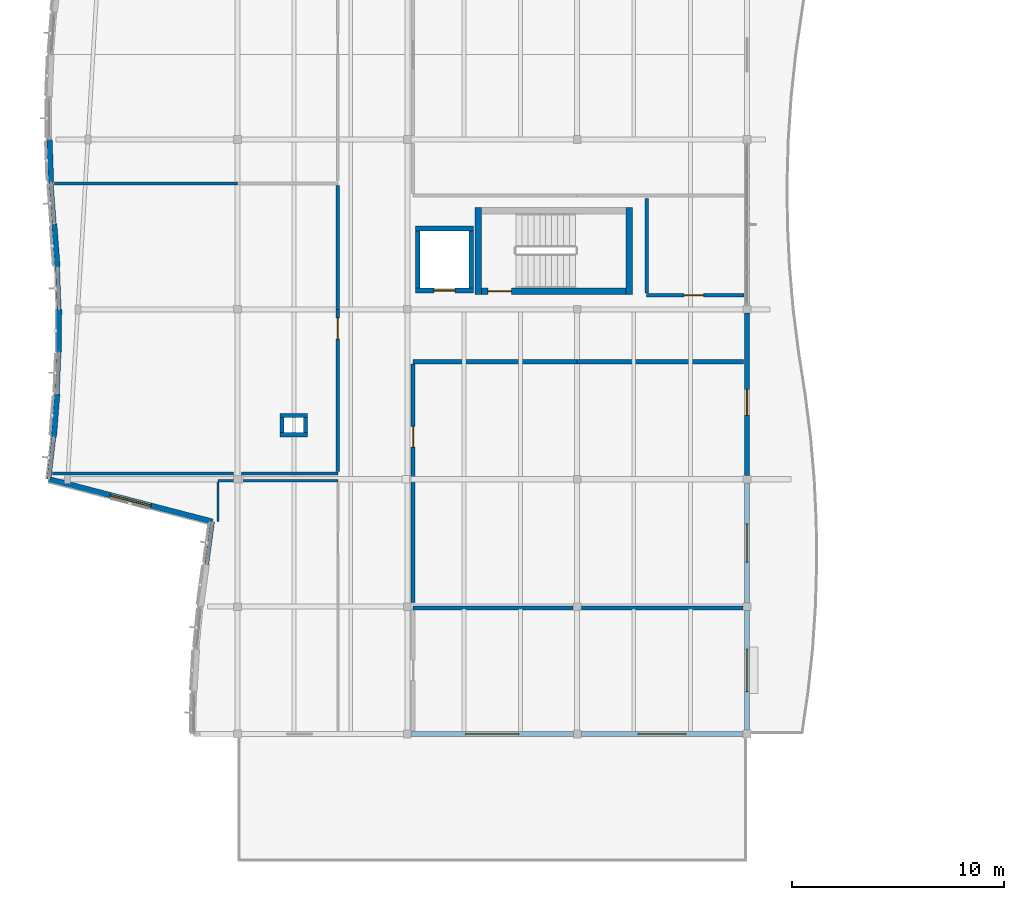
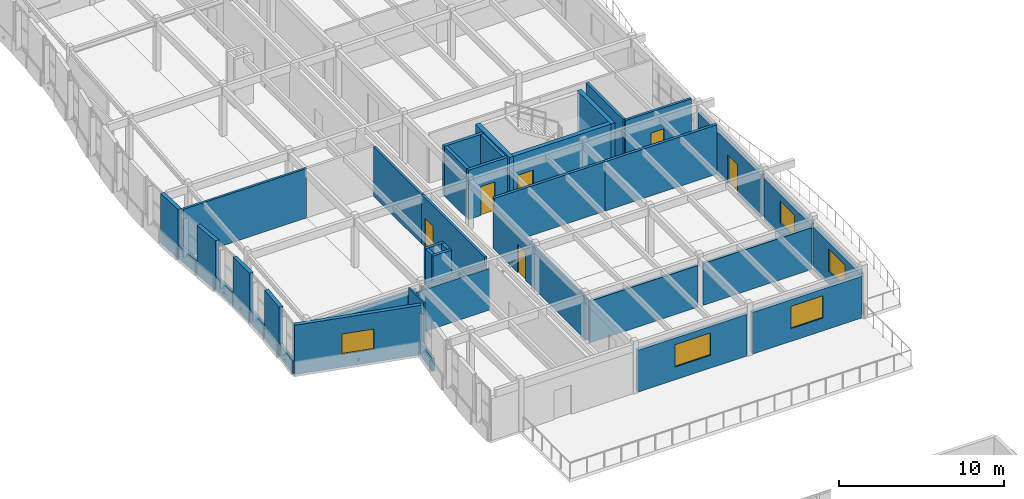
# One storey, part 38 of 63: 40 walls, 6 doors, 5 windows, 11 openings.
"""IFC4 building model written with IfcOpenShell, lengths in metres."""

from ifc_helpers import new_model, si_unit, direction, frame, frame_2d, origin, place, context, subcontext, project, spatial, rectangle, extrude, material, layer, layer_set, type_object, element, fill, save


model = new_model("IFC4")

# Units and contexts
model_context = context("Model", 3, precision=1e-05, world=origin(), true_north=direction((0.0, 1.0)))
body_context = subcontext(model_context, "Body", "Model", "MODEL_VIEW")
ifc_project = project(units=[si_unit("LENGTHUNIT", "METRE"), si_unit("AREAUNIT", "SQUARE_METRE"), si_unit("VOLUMEUNIT", "CUBIC_METRE"), si_unit("PLANEANGLEUNIT", "RADIAN"), si_unit("MASSUNIT", "GRAM", prefix="KILO")], contexts=[model_context])

# Site, building, storey
site_placement = place(None, origin())
site = spatial("IfcSite", under=ifc_project, at=site_placement, CompositionType="ELEMENT")
building_placement = place(site_placement, origin())
building = spatial("IfcBuilding", under=site, at=building_placement, Name="Tonlespit Floodbar School", CompositionType="ELEMENT")
storey_placement = place(building_placement, frame((0.0, 0.0, 8.39990234375)))
storey = spatial("IfcBuildingStorey", under=building, at=storey_placement, Name="L02", CompositionType="ELEMENT", Elevation=8.39990234375)

# Walls
ifc_material_1 = material(Name="Concrete C40/50", Category="concrete")
ifc_layer_1 = layer(ifc_material_1, 0.300048828125)
ifc_layer_set_1 = layer_set([ifc_layer_1], Name="Concrete C40/50")
wall_type_1 = type_object("IfcWallType", Name="CoreWall_RC_300", PredefinedType="SHEAR", material=ifc_layer_set_1)
for number, where, z_axis, x_axis, name in (
    (1, (23.35009765625, 64.699951171875, 0.0), (0.0, 0.0, 1.0), (0.0, 1.0, 0.0), "L02 core C3 shear wall NEAR"),
    (2, (30.449951171875, 68.800048828125, 0.0), (0.0, 0.0, 1.0), (0.0, -1.0, 0.0), "L02 core C3 shear wall FAR"),
):
    element("IfcWall", number, at=place(storey_placement, frame(where, z_axis=z_axis, x_axis=x_axis)), inside=storey, type_object=wall_type_1, Name=name, PredefinedType="SHEAR", context=body_context, shape_type="SweptSolid", body=[
        extrude(rectangle(XDim=4.10009765625, YDim=0.300048828125, at=frame_2d((2.050048828125, 0.0))), origin(), (0.0, 0.0, 1.0), 3.650146484375),
    ])

# Wall, opening, door
wall_1_placement = place(storey_placement, frame((23.5, 64.85009765625, 0.0), z_axis=(0.0, 0.0, 1.0), x_axis=(1.0, 0.0, 0.0)))
wall_1 = element("IfcWall", 3, at=wall_1_placement, inside=storey, type_object=wall_type_1, Name="L02 core C3 shear wall LEFT", PredefinedType="SHEAR", context=body_context, shape_type="SweptSolid", body=[
    extrude(rectangle(XDim=6.800048828125, YDim=0.300048828125, at=frame_2d((3.39990234375, 0.0))), origin(), (0.0, 0.0, 1.0), 3.650146484375),
])
opening_1_placement = place(wall_1_placement, frame((0.300048828125, 0.0, 0.0)))
opening_1 = element("IfcOpeningElement", 4, at=opening_1_placement, cuts=wall_1, Name="Opening FD1-C3-L02", PredefinedType="OPENING", context=body_context, shape_type="SweptSolid", body=[
    extrude(rectangle(XDim=1.10009765625, YDim=2.14990234375, at=frame_2d((0.550048828125, 1.074951171875))), frame((0.0, 0.159912109375, 0.0), z_axis=(0.0, -1.0, 0.0), x_axis=(1.0, 0.0, 0.0)), (0.0, 0.0, 1.0), 0.320068359375),
])
ifc_material_2 = material(Name="Galvanised Steel", Category="steel")
door_type_1 = type_object("IfcDoorType", Name="FireDoor_Stair_1100x2150", OperationType="NOTDEFINED", PredefinedType="DOOR", material=ifc_material_2)
door_1_placement = place(opening_1_placement, origin())
door_1 = element("IfcDoor", 5, at=door_1_placement, inside=storey, type_object=door_type_1, Name="L02 stair ST-C3 fire door", OperationType="SINGLE_SWING_LEFT", OverallHeight=2.14990234375, OverallWidth=1.10009765625, PredefinedType="DOOR", context=body_context, shape_type="SweptSolid", body=[
    extrude(rectangle(XDim=1.10009765625, YDim=2.14990234375, at=frame_2d((0.550048828125, 1.074951171875))), frame((0.0, 0.02490234375, 0.0), z_axis=(0.0, -1.0, 0.0), x_axis=(1.0, 0.0, 0.0)), (0.0, 0.0, 1.0), 0.050048828125),
])
fill(opening_1, door_1)

ifc_material_3 = material(Name="Precast concrete C40/50", Category="concrete")
ifc_layer_2 = layer(ifc_material_3, 0.239990234375)
ifc_layer_set_2 = layer_set([ifc_layer_2], Name="Precast concrete C40/50")
wall_type_2 = type_object("IfcWallType", Name="ExtWall_Rainscreen_240", PredefinedType="SOLIDWALL", material=ifc_layer_set_2)
wall_2_placement = place(storey_placement, frame((36.0, 63.820068359375, 0.0), z_axis=(0.0, 0.0, 1.0), x_axis=(0.0, -1.0, 0.0)))
wall_2 = element("IfcWall", 6, at=wall_2_placement, inside=storey, type_object=wall_type_2, Name="L02 external wall 0414", PredefinedType="SOLIDWALL", context=body_context, shape_type="SweptSolid", body=[
    extrude(rectangle(XDim=7.64013671875, YDim=0.239990234375, at=frame_2d((3.820068359375, 0.0))), origin(), (0.0, 0.0, 1.0), 3.090087890625),
])
opening_2_placement = place(wall_2_placement, frame((3.60009765625, 0.0, 0.0)))
opening_2 = element("IfcOpeningElement", 7, at=opening_2_placement, cuts=wall_2, Name="Opening D-TR-017", PredefinedType="OPENING", context=body_context, shape_type="SweptSolid", body=[
    extrude(rectangle(XDim=1.199951171875, YDim=2.14990234375, at=frame_2d((0.60009765625, 1.074951171875))), frame((0.0, 0.1298828125, 0.0), z_axis=(0.0, -1.0, 0.0), x_axis=(1.0, 0.0, 0.0)), (0.0, 0.0, 1.0), 0.260009765625),
])
ifc_material_4 = material(Name="Anodised Aluminium", Category="aluminium")
door_type_2 = type_object("IfcDoorType", Name="ExtDoor_Terrace_1200x2150", OperationType="NOTDEFINED", PredefinedType="DOOR", material=ifc_material_4)
door_2_placement = place(opening_2_placement, origin())
door_2 = element("IfcDoor", 8, at=door_2_placement, inside=storey, type_object=door_type_2, Name="L02 exterior door D-TR-017", OperationType="SINGLE_SWING_LEFT", OverallHeight=2.14990234375, OverallWidth=1.199951171875, PredefinedType="DOOR", context=body_context, shape_type="SweptSolid", body=[
    extrude(rectangle(XDim=1.199951171875, YDim=2.14990234375, at=frame_2d((0.60009765625, 1.074951171875))), frame((0.0, 0.02490234375, 0.0), z_axis=(0.0, -1.0, 0.0), x_axis=(1.0, 0.0, 0.0)), (0.0, 0.0, 1.0), 0.050048828125),
])
fill(opening_2, door_2)

# Wall, opening, window
wall_3_placement = place(storey_placement, frame((36.0, 55.820068359375, 0.0), z_axis=(0.0, 0.0, 1.0), x_axis=(0.0, -1.0, 0.0)))
wall_3 = element("IfcWall", 9, at=wall_3_placement, inside=storey, type_object=wall_type_2, Name="L02 external wall 0415", PredefinedType="SOLIDWALL", context=body_context, shape_type="SweptSolid", body=[
    extrude(rectangle(XDim=5.64013671875, YDim=0.239990234375, at=frame_2d((2.820068359375, 0.0))), origin(), (0.0, 0.0, 1.0), 3.088134765625),
])
opening_3_placement = place(wall_3_placement, frame((1.919921875, 0.0, 0.949951171875)))
opening_3 = element("IfcOpeningElement", 10, at=opening_3_placement, cuts=wall_3, Name="Opening W-L02-044", PredefinedType="OPENING", context=body_context, shape_type="SweptSolid", body=[
    extrude(rectangle(XDim=1.800048828125, YDim=1.64990234375, at=frame_2d((0.89990234375, 0.824951171875))), frame((0.0, 0.1298828125, 0.0), z_axis=(0.0, -1.0, 0.0), x_axis=(1.0, 0.0, 0.0)), (0.0, 0.0, 1.0), 0.260009765625),
])
ifc_material_5 = material(Name="Tempered Double Glazing", Category="glass")
window_type_1 = type_object("IfcWindowType", Name="Win_Mod_1800x1650", PartitioningType="DOUBLE_PANEL_VERTICAL", PredefinedType="WINDOW", material=ifc_material_5)
window_1_placement = place(opening_3_placement, origin())
window_1 = element("IfcWindow", 11, at=window_1_placement, inside=storey, type_object=window_type_1, Name="L02 window W-L02-044", OverallHeight=1.64990234375, OverallWidth=1.800048828125, PartitioningType="DOUBLE_PANEL_VERTICAL", PredefinedType="WINDOW", context=body_context, shape_type="SweptSolid", body=[
    extrude(rectangle(XDim=1.800048828125, YDim=1.64990234375, at=frame_2d((0.89990234375, 0.824951171875))), frame((0.0, 0.030029296875, 0.0), z_axis=(0.0, -1.0, 0.0), x_axis=(1.0, 0.0, 0.0)), (0.0, 0.0, 1.0), 0.06005859375),
])
fill(opening_3, window_1)

wall_4_placement = place(storey_placement, frame((36.0, 49.820068359375, 0.0), z_axis=(0.0, 0.0, 1.0), x_axis=(0.0, -1.0, 0.0)))
wall_4 = element("IfcWall", 12, at=wall_4_placement, inside=storey, type_object=wall_type_2, Name="L02 external wall 0416", PredefinedType="SOLIDWALL", context=body_context, shape_type="SweptSolid", body=[
    extrude(rectangle(XDim=5.64013671875, YDim=0.239990234375, at=frame_2d((2.820068359375, 0.0))), origin(), (0.0, 0.0, 1.0), 3.088134765625),
])
opening_4_placement = place(wall_4_placement, frame((1.820068359375, 0.0, 0.949951171875)))
opening_4 = element("IfcOpeningElement", 13, at=opening_4_placement, cuts=wall_4, Name="Opening W-L02-045", PredefinedType="OPENING", context=body_context, shape_type="SweptSolid", body=[
    extrude(rectangle(XDim=2.0, YDim=1.64990234375, at=frame_2d((1.0, 0.824951171875))), frame((0.0, 0.1298828125, 0.0), z_axis=(0.0, -1.0, 0.0), x_axis=(1.0, 0.0, 0.0)), (0.0, 0.0, 1.0), 0.260009765625),
])
window_type_2 = type_object("IfcWindowType", Name="Win_Mod_2000x1650", PartitioningType="DOUBLE_PANEL_VERTICAL", PredefinedType="WINDOW", material=ifc_material_5)
window_2_placement = place(opening_4_placement, origin())
window_2 = element("IfcWindow", 14, at=window_2_placement, inside=storey, type_object=window_type_2, Name="L02 window W-L02-045", OverallHeight=1.64990234375, OverallWidth=2.0, PartitioningType="DOUBLE_PANEL_VERTICAL", PredefinedType="WINDOW", context=body_context, shape_type="SweptSolid", body=[
    extrude(rectangle(XDim=2.0, YDim=1.64990234375, at=frame_2d((1.0, 0.824951171875))), frame((0.0, 0.030029296875, 0.0), z_axis=(0.0, -1.0, 0.0), x_axis=(1.0, 0.0, 0.0)), (0.0, 0.0, 1.0), 0.06005859375),
])
fill(opening_4, window_2)

wall_5_placement = place(storey_placement, frame((35.820068359375, 44.0, 0.0), z_axis=(0.0, 0.0, 1.0), x_axis=(-1.0, 0.0, 0.0)))
wall_5 = element("IfcWall", 15, at=wall_5_placement, inside=storey, type_object=wall_type_2, Name="L02 external wall 0417", PredefinedType="SOLIDWALL", context=body_context, shape_type="SweptSolid", body=[
    extrude(rectangle(XDim=7.64013671875, YDim=0.239990234375, at=frame_2d((3.820068359375, 0.0))), origin(), (0.0, 0.0, 1.0), 3.088134765625),
])
opening_5_placement = place(wall_5_placement, frame((2.695068359375, 0.0, 0.949951171875)))
opening_5 = element("IfcOpeningElement", 16, at=opening_5_placement, cuts=wall_5, Name="Opening W-L02-046", PredefinedType="OPENING", context=body_context, shape_type="SweptSolid", body=[
    extrude(rectangle(XDim=2.25, YDim=1.64990234375, at=frame_2d((1.125, 0.824951171875))), frame((0.0, 0.1298828125, 0.0), z_axis=(0.0, -1.0, 0.0), x_axis=(1.0, 0.0, 0.0)), (0.0, 0.0, 1.0), 0.260009765625),
])
window_type_3 = type_object("IfcWindowType", Name="Win_Mod_2250x1650", PartitioningType="DOUBLE_PANEL_VERTICAL", PredefinedType="WINDOW", material=ifc_material_5)
window_3_placement = place(opening_5_placement, origin())
window_3 = element("IfcWindow", 17, at=window_3_placement, inside=storey, type_object=window_type_3, Name="L02 window W-L02-046", OverallHeight=1.64990234375, OverallWidth=2.25, PartitioningType="DOUBLE_PANEL_VERTICAL", PredefinedType="WINDOW", context=body_context, shape_type="SweptSolid", body=[
    extrude(rectangle(XDim=2.25, YDim=1.64990234375, at=frame_2d((1.125, 0.824951171875))), frame((0.0, 0.030029296875, 0.0), z_axis=(0.0, -1.0, 0.0), x_axis=(1.0, 0.0, 0.0)), (0.0, 0.0, 1.0), 0.06005859375),
])
fill(opening_5, window_3)

wall_6_placement = place(storey_placement, frame((27.820068359375, 44.0, 0.0), z_axis=(0.0, 0.0, 1.0), x_axis=(-1.0, 0.0, 0.0)))
wall_6 = element("IfcWall", 18, at=wall_6_placement, inside=storey, type_object=wall_type_2, Name="L02 external wall 0418", PredefinedType="SOLIDWALL", context=body_context, shape_type="SweptSolid", body=[
    extrude(rectangle(XDim=7.64013671875, YDim=0.239990234375, at=frame_2d((3.820068359375, 0.0))), origin(), (0.0, 0.0, 1.0), 3.088134765625),
])
opening_6_placement = place(wall_6_placement, frame((2.570068359375, 0.0, 0.949951171875)))
opening_6 = element("IfcOpeningElement", 19, at=opening_6_placement, cuts=wall_6, Name="Opening W-L02-047", PredefinedType="OPENING", context=body_context, shape_type="SweptSolid", body=[
    extrude(rectangle(XDim=2.5, YDim=1.64990234375, at=frame_2d((1.25, 0.824951171875))), frame((0.0, 0.1298828125, 0.0), z_axis=(0.0, -1.0, 0.0), x_axis=(1.0, 0.0, 0.0)), (0.0, 0.0, 1.0), 0.260009765625),
])
window_type_4 = type_object("IfcWindowType", Name="Win_Mod_2500x1650", PartitioningType="DOUBLE_PANEL_VERTICAL", PredefinedType="WINDOW", material=ifc_material_5)
window_4_placement = place(opening_6_placement, origin())
window_4 = element("IfcWindow", 20, at=window_4_placement, inside=storey, type_object=window_type_4, Name="L02 window W-L02-047", OverallHeight=1.64990234375, OverallWidth=2.5, PartitioningType="DOUBLE_PANEL_VERTICAL", PredefinedType="WINDOW", context=body_context, shape_type="SweptSolid", body=[
    extrude(rectangle(XDim=2.5, YDim=1.64990234375, at=frame_2d((1.25, 0.824951171875))), frame((0.0, 0.030029296875, 0.0), z_axis=(0.0, -1.0, 0.0), x_axis=(1.0, 0.0, 0.0)), (0.0, 0.0, 1.0), 0.06005859375),
])
fill(opening_6, window_4)

ifc_layer_3 = layer(ifc_material_3, 0.260009765625)
ifc_layer_set_3 = layer_set([ifc_layer_3], Name="Precast concrete C40/50")
wall_type_3 = type_object("IfcWallType", Name="ExtWall_Rainscreen_260", PredefinedType="SOLIDWALL", material=ifc_layer_set_3)
wall_7_placement = place(storey_placement, frame((10.82177734375, 54.0, 0.0), z_axis=(0.0, 0.0, 1.0), x_axis=(-0.967937555254, 0.251190941573, 0.0)))
wall_7 = element("IfcWall", 21, at=wall_7_placement, inside=storey, type_object=wall_type_3, Name="L02 external wall 0385", PredefinedType="SOLIDWALL", context=body_context, shape_type="SweptSolid", body=[
    extrude(rectangle(XDim=7.962158203125, YDim=0.260009765625, at=frame_2d((3.98095703125, 0.0))), origin(), (0.0, 0.0, 1.0), 3.650146484375),
])
opening_7_placement = place(wall_7_placement, frame((2.98095703125, 0.0, 0.949951171875)))
opening_7 = element("IfcOpeningElement", 22, at=opening_7_placement, cuts=wall_7, Name="Opening W-L02-038", PredefinedType="OPENING", context=body_context, shape_type="SweptSolid", body=[
    extrude(rectangle(XDim=2.0, YDim=1.5, at=frame_2d((1.0, 0.75))), frame((0.0, 0.139892578125, 0.0), z_axis=(0.0, -1.0, 0.0), x_axis=(1.0, 0.0, 0.0)), (0.0, 0.0, 1.0), 0.280029296875),
])
window_type_5 = type_object("IfcWindowType", Name="Win_Mod_2000x1500", PartitioningType="DOUBLE_PANEL_VERTICAL", PredefinedType="WINDOW", material=ifc_material_5)
window_5_placement = place(opening_7_placement, origin())
window_5 = element("IfcWindow", 23, at=window_5_placement, inside=storey, type_object=window_type_5, Name="L02 window W-L02-038", OverallHeight=1.5, OverallWidth=2.0, PartitioningType="DOUBLE_PANEL_VERTICAL", PredefinedType="WINDOW", context=body_context, shape_type="SweptSolid", body=[
    extrude(rectangle(XDim=2.0, YDim=1.5, at=frame_2d((1.0, 0.75))), frame((0.0, 0.030029296875, 0.0), z_axis=(0.0, -1.0, 0.0), x_axis=(1.0, 0.0, 0.0)), (0.0, 0.0, 1.0), 0.06005859375),
])
fill(opening_7, window_5)

# Walls
wall_8_placement = place(storey_placement, frame((3.3505859375, 58.0, 0.0), z_axis=(0.0, 0.0, 1.0), x_axis=(0.078976178075, 0.996876503533, 0.0)))
element("IfcWall", 24, at=wall_8_placement, inside=storey, type_object=wall_type_3, Name="L02 external wall 0387", PredefinedType="SOLIDWALL", context=body_context, shape_type="SweptSolid", body=[
    extrude(rectangle(XDim=2.00634765625, YDim=0.260009765625, at=frame_2d((1.003173828125, 0.0))), origin(), (0.0, 0.0, 1.0), 3.650146484375),
])
wall_9_placement = place(storey_placement, frame((3.590576171875, 62.0, 0.0), z_axis=(0.0, 0.0, 1.0), x_axis=(0.002197260321, 0.999997586021, 0.0)))
element("IfcWall", 25, at=wall_9_placement, inside=storey, type_object=wall_type_3, Name="L02 external wall 0389", PredefinedType="SOLIDWALL", context=body_context, shape_type="SweptSolid", body=[
    extrude(rectangle(XDim=2.0, YDim=0.260009765625, at=frame_2d((1.0, 0.0))), origin(), (0.0, 0.0, 1.0), 3.650146484375),
])
wall_10_placement = place(storey_placement, frame((3.521728515625, 66.0, 0.0), z_axis=(0.0, 0.0, 1.0), x_axis=(-0.075588789742, 0.997139074987, 0.0)))
element("IfcWall", 26, at=wall_10_placement, inside=storey, type_object=wall_type_3, Name="L02 external wall 0391", PredefinedType="SOLIDWALL", context=body_context, shape_type="SweptSolid", body=[
    extrude(rectangle(XDim=2.005859375, YDim=0.260009765625, at=frame_2d((1.0029296875, 0.0))), origin(), (0.0, 0.0, 1.0), 3.650146484375),
])
wall_11_placement = place(storey_placement, frame((3.21826171875, 70.0, 0.0), z_axis=(0.0, 0.0, 1.0), x_axis=(-0.036596562065, 0.999330121454, 0.0)))
element("IfcWall", 27, at=wall_11_placement, inside=storey, type_object=wall_type_3, Name="L02 external wall 0393", PredefinedType="SOLIDWALL", context=body_context, shape_type="SweptSolid", body=[
    extrude(rectangle(XDim=2.001220703125, YDim=0.260009765625, at=frame_2d((1.00048828125, 0.0))), origin(), (0.0, 0.0, 1.0), 3.650146484375),
])
ifc_material_6 = material(Name="White Architectural Precast concrete C40/50", Category="concrete")
ifc_layer_4 = layer(ifc_material_6, 0.199951171875)
ifc_layer_set_4 = layer_set([ifc_layer_4], Name="White Architectural Precast concrete C40/50")
wall_type_4 = type_object("IfcWallType", Name="ExtWall_Spandrel_White_200", PredefinedType="SOLIDWALL", material=ifc_layer_set_4)
wall_12_placement = place(storey_placement, frame((10.550048828125, 52.0, 0.0), z_axis=(0.0, 0.0, 1.0), x_axis=(0.134627389588, 0.990896294257, 0.0)))
element("IfcWall", 28, at=wall_12_placement, inside=storey, type_object=wall_type_4, Name="L02 spandrel wall 0384", PredefinedType="SOLIDWALL", context=body_context, shape_type="SweptSolid", body=[
    extrude(rectangle(XDim=2.018310546875, YDim=0.199951171875, at=frame_2d((1.00927734375, 0.0))), origin(), (0.0, 0.0, 1.0), 0.9501953125),
])
wall_13_placement = place(storey_placement, frame((3.114990234375, 56.0, 0.0), z_axis=(0.0, 0.0, 1.0), x_axis=(0.116988959085, 0.99313321536, 0.0)))
element("IfcWall", 29, at=wall_13_placement, inside=storey, type_object=wall_type_4, Name="L02 spandrel wall 0386", PredefinedType="SOLIDWALL", context=body_context, shape_type="SweptSolid", body=[
    extrude(rectangle(XDim=2.013916015625, YDim=0.199951171875, at=frame_2d((1.0068359375, 0.0))), origin(), (0.0, 0.0, 1.0), 0.9501953125),
])
wall_14_placement = place(storey_placement, frame((3.509033203125, 60.0, 0.0), z_axis=(0.0, 0.0, 1.0), x_axis=(0.040737639062, 0.99916987783, 0.0)))
element("IfcWall", 30, at=wall_14_placement, inside=storey, type_object=wall_type_4, Name="L02 spandrel wall 0388", PredefinedType="SOLIDWALL", context=body_context, shape_type="SweptSolid", body=[
    extrude(rectangle(XDim=2.001708984375, YDim=0.199951171875, at=frame_2d((1.0009765625, 0.0))), origin(), (0.0, 0.0, 1.0), 0.9501953125),
])
wall_15_placement = place(storey_placement, frame((3.594970703125, 64.0, 0.0), z_axis=(0.0, 0.0, 1.0), x_axis=(-0.036596562065, 0.999330121454, 0.0)))
element("IfcWall", 31, at=wall_15_placement, inside=storey, type_object=wall_type_4, Name="L02 spandrel wall 0390", PredefinedType="SOLIDWALL", context=body_context, shape_type="SweptSolid", body=[
    extrude(rectangle(XDim=2.001220703125, YDim=0.199951171875, at=frame_2d((1.00048828125, 0.0))), origin(), (0.0, 0.0, 1.0), 0.9501953125),
])
wall_16_placement = place(storey_placement, frame((3.3701171875, 68.0, 0.0), z_axis=(0.0, 0.0, 1.0), x_axis=(-0.075709813676, 0.9971298933, 0.0)))
element("IfcWall", 32, at=wall_16_placement, inside=storey, type_object=wall_type_4, Name="L02 spandrel wall 0392", PredefinedType="SOLIDWALL", context=body_context, shape_type="SweptSolid", body=[
    extrude(rectangle(XDim=2.005859375, YDim=0.199951171875, at=frame_2d((1.0029296875, 0.0))), origin(), (0.0, 0.0, 1.0), 0.9501953125),
])
ifc_material_7 = material(Name="Gypsum Plasterboard Partition")
ifc_layer_5 = layer(ifc_material_7, 0.159912109375)
ifc_layer_set_5 = layer_set([ifc_layer_5], Name="Gypsum Plasterboard Partition")
wall_type_5 = type_object("IfcWallType", Name="FireWall_Lab_160", PredefinedType="PARTITIONING", material=ifc_layer_set_5)
wall_17_placement = place(storey_placement, frame((3.288818359375, 56.27001953125, 0.0), z_axis=(0.0, 0.0, 1.0), x_axis=(1.0, 0.0, 0.0)))
element("IfcWall", 33, at=wall_17_placement, inside=storey, type_object=wall_type_5, Name="L02 partition wall 0219", PredefinedType="PARTITIONING", context=body_context, shape_type="SweptSolid", body=[
    extrude(rectangle(XDim=8.51611328125, YDim=0.159912109375, at=frame_2d((4.258056640625, 0.0))), origin(), (0.0, 0.0, 1.0), 3.090087890625),
])
wall_18_placement = place(storey_placement, frame((12.195068359375, 56.27001953125, 0.0), z_axis=(0.0, 0.0, 1.0), x_axis=(1.0, 0.0, 0.0)))
element("IfcWall", 34, at=wall_18_placement, inside=storey, type_object=wall_type_5, Name="L02 partition wall 0220", PredefinedType="PARTITIONING", context=body_context, shape_type="SweptSolid", body=[
    extrude(rectangle(XDim=4.534912109375, YDim=0.159912109375, at=frame_2d((2.267578125, 0.0))), origin(), (0.0, 0.0, 1.0), 3.088134765625),
])
wall_19_placement = place(storey_placement, frame((3.392822265625, 69.929931640625, 0.0), z_axis=(0.0, 0.0, 1.0), x_axis=(1.0, 0.0, 0.0)))
element("IfcWall", 35, at=wall_19_placement, inside=storey, type_object=wall_type_5, Name="L02 partition wall 0221", PredefinedType="PARTITIONING", context=body_context, shape_type="SweptSolid", body=[
    extrude(rectangle(XDim=8.607177734375, YDim=0.159912109375, at=frame_2d((4.3037109375, 0.0))), origin(), (0.0, 0.0, 1.0), 3.650146484375),
])

# Wall, opening, door
wall_20_placement = place(storey_placement, frame((16.72998046875, 56.364990234375, 0.0), z_axis=(0.0, 0.0, 1.0), x_axis=(0.0, 1.0, 0.0)))
wall_20 = element("IfcWall", 36, at=wall_20_placement, inside=storey, type_object=wall_type_5, Name="L02 partition wall 0223", PredefinedType="PARTITIONING", context=body_context, shape_type="SweptSolid", body=[
    extrude(rectangle(XDim=7.635009765625, YDim=0.159912109375, at=frame_2d((3.8173828125, 0.0))), origin(), (0.0, 0.0, 1.0), 3.650146484375),
])
opening_8_placement = place(wall_20_placement, frame((6.235107421875, 0.0, 0.0)))
opening_8 = element("IfcOpeningElement", 37, at=opening_8_placement, cuts=wall_20, Name="Opening D-L02-065", PredefinedType="OPENING", context=body_context, shape_type="SweptSolid", body=[
    extrude(rectangle(XDim=1.0, YDim=2.14990234375, at=frame_2d((0.5, 1.074951171875))), frame((0.0, 0.08984375, 0.0), z_axis=(0.0, -1.0, 0.0), x_axis=(1.0, 0.0, 0.0)), (0.0, 0.0, 1.0), 0.179931640625),
])
ifc_material_8 = material(Name="Hardwood Timber", Category="wood")
door_type_3 = type_object("IfcDoorType", Name="FireDoor_Compartment_1000x2150", OperationType="NOTDEFINED", PredefinedType="DOOR", material=ifc_material_8)
door_3_placement = place(opening_8_placement, origin())
door_3 = element("IfcDoor", 38, at=door_3_placement, inside=storey, type_object=door_type_3, Name="L02 interior door D-L02-065", OperationType="SINGLE_SWING_RIGHT", OverallHeight=2.14990234375, OverallWidth=1.0, PredefinedType="DOOR", context=body_context, shape_type="SweptSolid", body=[
    extrude(rectangle(XDim=1.0, YDim=2.14990234375, at=frame_2d((0.5, 1.074951171875))), frame((0.0, 0.02490234375, 0.0), z_axis=(0.0, -1.0, 0.0), x_axis=(1.0, 0.0, 0.0)), (0.0, 0.0, 1.0), 0.050048828125),
])
fill(opening_8, door_3)

# Walls
wall_21_placement = place(storey_placement, frame((16.72998046875, 64.0, 0.0), z_axis=(0.0, 0.0, 1.0), x_axis=(0.0, 1.0, 0.0)))
element("IfcWall", 39, at=wall_21_placement, inside=storey, type_object=wall_type_5, Name="L02 partition wall 0224", PredefinedType="PARTITIONING", context=body_context, shape_type="SweptSolid", body=[
    extrude(rectangle(XDim=5.8349609375, YDim=0.159912109375, at=frame_2d((2.91748046875, 0.0))), origin(), (0.0, 0.0, 1.0), 3.650146484375),
])
ifc_layer_6 = layer(ifc_material_1, 0.199951171875)
ifc_layer_set_6 = layer_set([ifc_layer_6], Name="Concrete C40/50")
wall_type_6 = type_object("IfcWallType", Name="FireWall_Plant_200", PredefinedType="PARTITIONING", material=ifc_layer_set_6)
for number, where, z_axis, x_axis, name in (
    (40, (15.300048828125, 58.10009765625, 0.0), (0.0, 0.0, 1.0), (-1.0, 0.0, 0.0), "L02 service riser 03 wall S"),
    (41, (14.0, 59.0, 0.0), (0.0, 0.0, 1.0), (1.0, 0.0, 0.0), "L02 service riser 03 wall N"),
):
    element("IfcWall", number, at=place(storey_placement, frame(where, z_axis=z_axis, x_axis=x_axis)), inside=storey, type_object=wall_type_6, Name=name, PredefinedType="PARTITIONING", context=body_context, shape_type="SweptSolid", body=[
        extrude(rectangle(XDim=1.300048828125, YDim=0.199951171875, at=frame_2d((0.64990234375, 0.0))), origin(), (0.0, 0.0, 1.0), 3.650146484375),
    ])
for number, where, z_axis, x_axis, name in (
    (42, (14.10009765625, 58.199951171875, 0.0), (0.0, 0.0, 1.0), (0.0, 1.0, 0.0), "L02 service riser 03 wall W"),
    (43, (15.199951171875, 58.89990234375, 0.0), (0.0, 0.0, 1.0), (0.0, -1.0, 0.0), "L02 service riser 03 wall E"),
):
    element("IfcWall", number, at=place(storey_placement, frame(where, z_axis=z_axis, x_axis=x_axis)), inside=storey, type_object=wall_type_6, Name=name, PredefinedType="PARTITIONING", context=body_context, shape_type="SweptSolid", body=[
        extrude(rectangle(XDim=0.699951171875, YDim=0.199951171875, at=frame_2d((0.35009765625, 0.0))), origin(), (0.0, 0.0, 1.0), 3.650146484375),
    ])
ifc_layer_7 = layer(ifc_material_7, 0.10009765625)
ifc_layer_set_7 = layer_set([ifc_layer_7], Name="Gypsum Plasterboard Partition")
wall_type_7 = type_object("IfcWallType", Name="Partition_Gyp_100", PredefinedType="PARTITIONING", material=ifc_layer_set_7)
wall_22_placement = place(storey_placement, frame((11.090087890625, 55.929931640625, 0.0), z_axis=(0.0, 0.0, 1.0), x_axis=(1.0, 0.0, 0.0)))
element("IfcWall", 44, at=wall_22_placement, inside=storey, type_object=wall_type_7, Name="L02 partition wall 0249", PredefinedType="PARTITIONING", context=body_context, shape_type="SweptSolid", body=[
    extrude(rectangle(XDim=5.639892578125, YDim=0.10009765625, at=frame_2d((2.81982421875, 0.0))), origin(), (0.0, 0.0, 1.0), 3.088134765625),
])
wall_23_placement = place(storey_placement, frame((11.090087890625, 54.02001953125, 0.0), z_axis=(0.0, 0.0, 1.0), x_axis=(0.0, 1.0, 0.0)))
element("IfcWall", 45, at=wall_23_placement, inside=storey, type_object=wall_type_7, Name="L02 partition wall 0250", PredefinedType="PARTITIONING", context=body_context, shape_type="SweptSolid", body=[
    extrude(rectangle(XDim=1.844970703125, YDim=0.10009765625, at=frame_2d((0.92236328125, 0.0))), origin(), (0.0, 0.0, 1.0), 3.650146484375),
])

# Wall, opening, door
ifc_layer_8 = layer(ifc_material_7, 0.169921875)
ifc_layer_set_8 = layer_set([ifc_layer_8], Name="Gypsum Plasterboard Partition")
wall_type_8 = type_object("IfcWallType", Name="Partition_Gyp_170", PredefinedType="PARTITIONING", material=ifc_layer_set_8)
wall_24_placement = place(storey_placement, frame((31.27001953125, 64.669921875, 0.0), z_axis=(0.0, 0.0, 1.0), x_axis=(1.0, 0.0, 0.0)))
wall_24 = element("IfcWall", 46, at=wall_24_placement, inside=storey, type_object=wall_type_8, Name="L02 partition wall 0241", PredefinedType="PARTITIONING", context=body_context, shape_type="SweptSolid", body=[
    extrude(rectangle(XDim=4.595458984375, YDim=0.169921875, at=frame_2d((2.2978515625, 0.0))), origin(), (0.0, 0.0, 1.0), 3.650146484375),
])
opening_9_placement = place(wall_24_placement, frame((1.77001953125, 0.0, 0.0)))
opening_9 = element("IfcOpeningElement", 47, at=opening_9_placement, cuts=wall_24, Name="Opening D-L02-070", PredefinedType="OPENING", context=body_context, shape_type="SweptSolid", body=[
    extrude(rectangle(XDim=0.919921875, YDim=2.10009765625, at=frame_2d((0.4599609375, 1.050048828125))), frame((0.0, 0.094970703125, 0.0), z_axis=(0.0, -1.0, 0.0), x_axis=(1.0, 0.0, 0.0)), (0.0, 0.0, 1.0), 0.18994140625),
])
door_type_4 = type_object("IfcDoorType", Name="IntDoor_920x2100", OperationType="NOTDEFINED", PredefinedType="DOOR", material=ifc_material_8)
door_4_placement = place(opening_9_placement, origin())
door_4 = element("IfcDoor", 48, at=door_4_placement, inside=storey, type_object=door_type_4, Name="L02 interior door D-L02-070", OperationType="SINGLE_SWING_LEFT", OverallHeight=2.10009765625, OverallWidth=0.919921875, PredefinedType="DOOR", context=body_context, shape_type="SweptSolid", body=[
    extrude(rectangle(XDim=0.919921875, YDim=2.10009765625, at=frame_2d((0.4599609375, 1.050048828125))), frame((0.0, 0.02490234375, 0.0), z_axis=(0.0, -1.0, 0.0), x_axis=(1.0, 0.0, 0.0)), (0.0, 0.0, 1.0), 0.050048828125),
])
fill(opening_9, door_4)

# Walls
wall_25_placement = place(storey_placement, frame((31.27001953125, 64.77001953125, 0.0), z_axis=(0.0, 0.0, 1.0), x_axis=(0.0, 1.0, 0.0)))
element("IfcWall", 49, at=wall_25_placement, inside=storey, type_object=wall_type_8, Name="L02 partition wall 0242", PredefinedType="PARTITIONING", context=body_context, shape_type="SweptSolid", body=[
    extrude(rectangle(XDim=4.4599609375, YDim=0.169921875, at=frame_2d((2.22998046875, 0.0))), origin(), (0.0, 0.0, 1.0), 3.650146484375),
])
ifc_layer_9 = layer(ifc_material_7, 0.18505859375)
ifc_layer_set_9 = layer_set([ifc_layer_9], Name="Gypsum Plasterboard Partition")
wall_type_9 = type_object("IfcWallType", Name="Partition_Gyp_185", PredefinedType="PARTITIONING", material=ifc_layer_set_9)
wall_26_placement = place(storey_placement, frame((20.27001953125, 49.929931640625, 0.0), z_axis=(0.0, 0.0, 1.0), x_axis=(1.0, 0.0, 0.0)))
element("IfcWall", 50, at=wall_26_placement, inside=storey, type_object=wall_type_9, Name="L02 partition wall 0243", PredefinedType="PARTITIONING", context=body_context, shape_type="SweptSolid", body=[
    extrude(rectangle(XDim=7.534912109375, YDim=0.18505859375, at=frame_2d((3.767578125, 0.0))), origin(), (0.0, 0.0, 1.0), 3.088134765625),
])
wall_27_placement = place(storey_placement, frame((28.195068359375, 49.929931640625, 0.0), z_axis=(0.0, 0.0, 1.0), x_axis=(1.0, 0.0, 0.0)))
element("IfcWall", 51, at=wall_27_placement, inside=storey, type_object=wall_type_9, Name="L02 partition wall 0244", PredefinedType="PARTITIONING", context=body_context, shape_type="SweptSolid", body=[
    extrude(rectangle(XDim=7.60986328125, YDim=0.18505859375, at=frame_2d((3.804931640625, 0.0))), origin(), (0.0, 0.0, 1.0), 3.088134765625),
])
ifc_layer_10 = layer(ifc_material_7, 0.195068359375)
ifc_layer_set_10 = layer_set([ifc_layer_10], Name="Gypsum Plasterboard Partition")
wall_type_10 = type_object("IfcWallType", Name="Partition_Gyp_195", PredefinedType="PARTITIONING", material=ifc_layer_set_10)
wall_28_placement = place(storey_placement, frame((20.27001953125, 61.530029296875, 0.0), z_axis=(0.0, 0.0, 1.0), x_axis=(1.0, 0.0, 0.0)))
element("IfcWall", 52, at=wall_28_placement, inside=storey, type_object=wall_type_10, Name="L02 partition wall 0246", PredefinedType="PARTITIONING", context=body_context, shape_type="SweptSolid", body=[
    extrude(rectangle(XDim=7.72998046875, YDim=0.195068359375, at=frame_2d((3.864990234375, 0.0))), origin(), (0.0, 0.0, 1.0), 3.650146484375),
])
wall_29_placement = place(storey_placement, frame((28.0, 61.530029296875, 0.0), z_axis=(0.0, 0.0, 1.0), x_axis=(1.0, 0.0, 0.0)))
element("IfcWall", 53, at=wall_29_placement, inside=storey, type_object=wall_type_10, Name="L02 partition wall 0247", PredefinedType="PARTITIONING", context=body_context, shape_type="SweptSolid", body=[
    extrude(rectangle(XDim=7.837890625, YDim=0.195068359375, at=frame_2d((3.9189453125, 0.0))), origin(), (0.0, 0.0, 1.0), 3.650146484375),
])

# Wall, opening, door
wall_30_placement = place(storey_placement, frame((20.27001953125, 50.195068359375, 0.0), z_axis=(0.0, 0.0, 1.0), x_axis=(0.0, 1.0, 0.0)))
wall_30 = element("IfcWall", 54, at=wall_30_placement, inside=storey, type_object=wall_type_10, Name="L02 partition wall 0248", PredefinedType="PARTITIONING", context=body_context, shape_type="SweptSolid", body=[
    extrude(rectangle(XDim=11.222412109375, YDim=0.195068359375, at=frame_2d((5.611328125, 0.0))), origin(), (0.0, 0.0, 1.0), 3.088134765625),
])
opening_10_placement = place(wall_30_placement, frame((7.31494140625, 0.0, 0.0)))
opening_10 = element("IfcOpeningElement", 55, at=opening_10_placement, cuts=wall_30, Name="Opening D-L02-072", PredefinedType="OPENING", context=body_context, shape_type="SweptSolid", body=[
    extrude(rectangle(XDim=0.97998046875, YDim=2.10009765625, at=frame_2d((0.489990234375, 1.050048828125))), frame((0.0, 0.107421875, 0.0), z_axis=(0.0, -1.0, 0.0), x_axis=(1.0, 0.0, 0.0)), (0.0, 0.0, 1.0), 0.215087890625),
])
door_type_5 = type_object("IfcDoorType", Name="IntDoor_980x2100", OperationType="NOTDEFINED", PredefinedType="DOOR", material=ifc_material_8)
door_5_placement = place(opening_10_placement, origin())
door_5 = element("IfcDoor", 56, at=door_5_placement, inside=storey, type_object=door_type_5, Name="L02 interior door D-L02-072", OperationType="SINGLE_SWING_LEFT", OverallHeight=2.10009765625, OverallWidth=0.97998046875, PredefinedType="DOOR", context=body_context, shape_type="SweptSolid", body=[
    extrude(rectangle(XDim=0.97998046875, YDim=2.10009765625, at=frame_2d((0.489990234375, 1.050048828125))), frame((0.0, 0.02490234375, 0.0), z_axis=(0.0, -1.0, 0.0), x_axis=(1.0, 0.0, 0.0)), (0.0, 0.0, 1.0), 0.050048828125),
])
fill(opening_10, door_5)

ifc_layer_11 = layer(ifc_material_1, 0.219970703125)
ifc_layer_set_11 = layer_set([ifc_layer_11], Name="Concrete C40/50")
wall_type_11 = type_object("IfcWallType", Name="ShaftWall_RC_220", PredefinedType="SHEAR", material=ifc_layer_set_11)
wall_31_placement = place(storey_placement, frame((23.1201171875, 64.889892578125, 0.0), z_axis=(0.0, 0.0, 1.0), x_axis=(-1.0, 0.0, 0.0)))
wall_31 = element("IfcWall", 57, at=wall_31_placement, inside=storey, type_object=wall_type_11, Name="L02 lift LG-1 shaft wall S", PredefinedType="SHEAR", context=body_context, shape_type="SweptSolid", body=[
    extrude(rectangle(XDim=2.740234375, YDim=0.219970703125, at=frame_2d((1.3701171875, 0.0))), origin(), (0.0, 0.0, 1.0), 3.650146484375),
])
opening_11_placement = place(wall_31_placement, frame((0.8701171875, 0.0, 0.0)))
opening_11 = element("IfcOpeningElement", 58, at=opening_11_placement, cuts=wall_31, Name="Opening LD-LG-1-L02", PredefinedType="OPENING", context=body_context, shape_type="SweptSolid", body=[
    extrude(rectangle(XDim=1.0, YDim=2.14990234375, at=frame_2d((0.5, 1.074951171875))), frame((0.0, 0.119873046875, 0.0), z_axis=(0.0, -1.0, 0.0), x_axis=(1.0, 0.0, 0.0)), (0.0, 0.0, 1.0), 0.239990234375),
])
door_type_6 = type_object("IfcDoorType", Name="LiftDoor_Pass_1000x2150", OperationType="DOUBLE_DOOR_SLIDING", PredefinedType="DOOR", material=ifc_material_4)
door_6_placement = place(opening_11_placement, origin())
door_6 = element("IfcDoor", 59, at=door_6_placement, inside=storey, type_object=door_type_6, Name="L02 lift LG-1 sliding landing door", OperationType="DOUBLE_DOOR_SLIDING", OverallHeight=2.14990234375, OverallWidth=1.0, PredefinedType="DOOR", context=body_context, shape_type="SweptSolid", body=[
    extrude(rectangle(XDim=1.0, YDim=2.14990234375, at=frame_2d((0.5, 1.074951171875))), frame((0.0, 0.02490234375, 0.0), z_axis=(0.0, -1.0, 0.0), x_axis=(1.0, 0.0, 0.0)), (0.0, 0.0, 1.0), 0.050048828125),
])
fill(opening_11, door_6)

# Walls
wall_32_placement = place(storey_placement, frame((20.3798828125, 67.81005859375, 0.0), z_axis=(0.0, 0.0, 1.0), x_axis=(1.0, 0.0, 0.0)))
element("IfcWall", 60, at=wall_32_placement, inside=storey, type_object=wall_type_11, Name="L02 lift LG-1 shaft wall N", PredefinedType="SHEAR", context=body_context, shape_type="SweptSolid", body=[
    extrude(rectangle(XDim=2.740234375, YDim=0.219970703125, at=frame_2d((1.3701171875, 0.0))), origin(), (0.0, 0.0, 1.0), 3.650146484375),
])
for number, where, z_axis, x_axis, name in (
    (61, (20.489990234375, 65.0, 0.0), (0.0, 0.0, 1.0), (0.0, 1.0, 0.0), "L02 lift LG-1 shaft wall W"),
    (62, (23.010009765625, 67.699951171875, 0.0), (0.0, 0.0, 1.0), (0.0, -1.0, 0.0), "L02 lift LG-1 shaft wall E"),
):
    element("IfcWall", number, at=place(storey_placement, frame(where, z_axis=z_axis, x_axis=x_axis)), inside=storey, type_object=wall_type_11, Name=name, PredefinedType="SHEAR", context=body_context, shape_type="SweptSolid", body=[
        extrude(rectangle(XDim=2.699951171875, YDim=0.219970703125, at=frame_2d((1.35009765625, 0.0))), origin(), (0.0, 0.0, 1.0), 3.650146484375),
    ])

save(model, "model.ifc")
